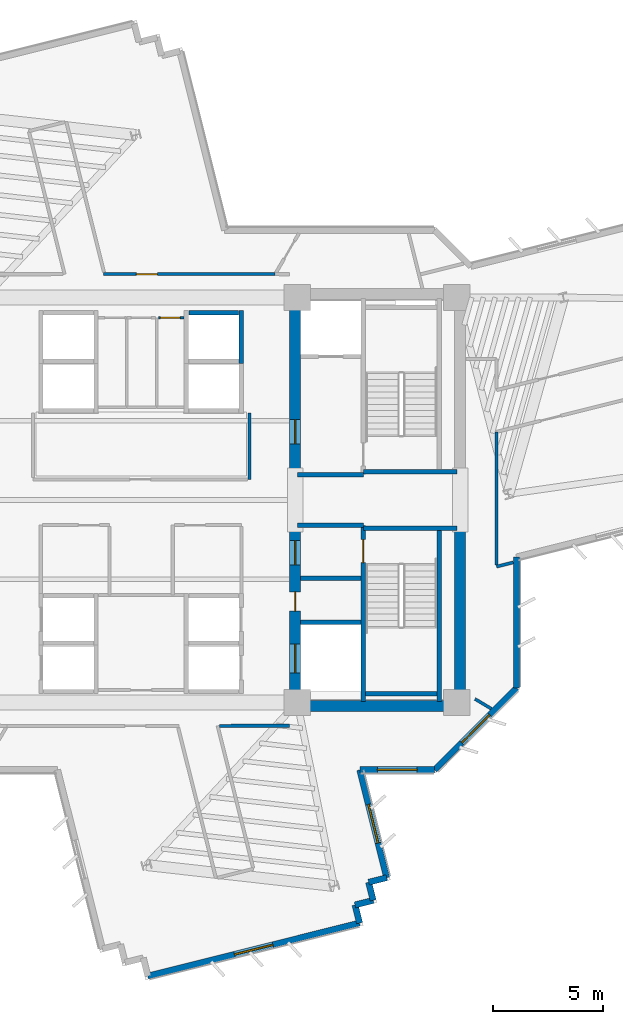
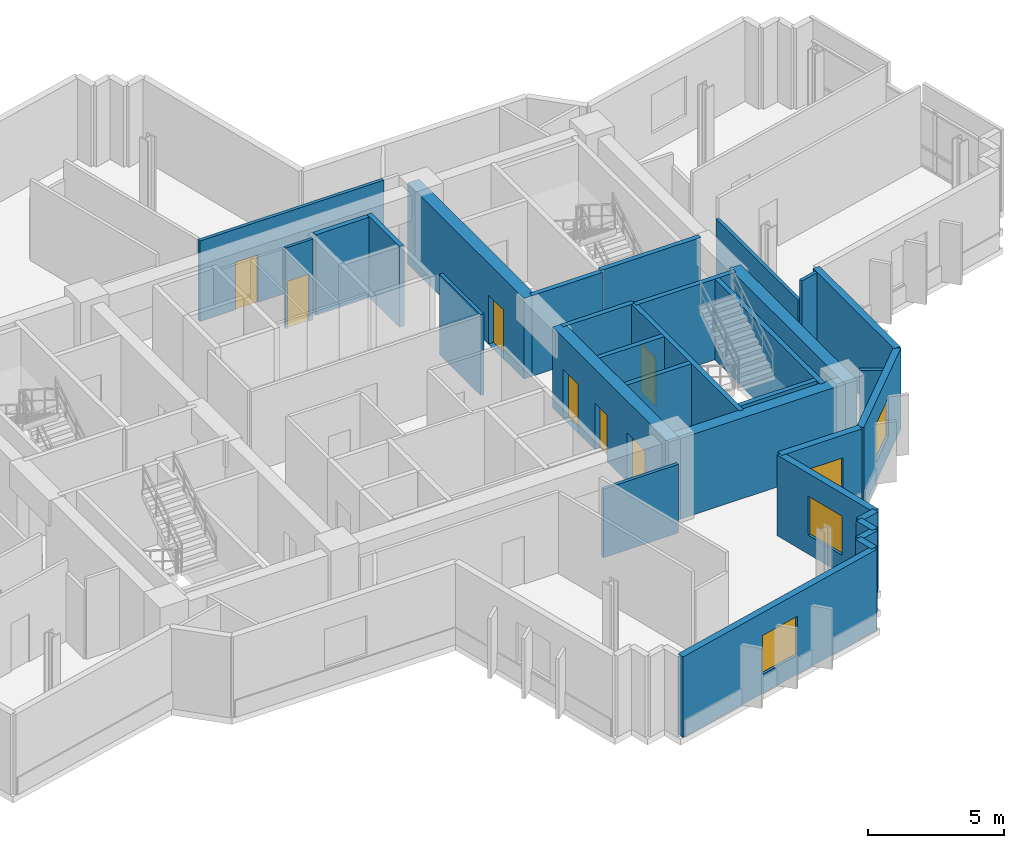
# One storey, part 8 of 13: 31 walls, 7 doors, 4 windows, 11 openings.
"""IFC4 building model written with IfcOpenShell, lengths in metres."""

from ifc_helpers import new_model, si_unit, direction, frame, frame_2d, origin, place, context, subcontext, project, spatial, rectangle, extrude, source, transform, mapped, material, layer, layer_set, type_object, element, fill, save


model = new_model("IFC4")

# Units and contexts
model_context = context("Model", 3, precision=1e-05, world=origin(), true_north=direction((0.0, 1.0)))
body_context = subcontext(model_context, "Body", "Model", "MODEL_VIEW")
ifc_project = project(units=[si_unit("LENGTHUNIT", "METRE"), si_unit("AREAUNIT", "SQUARE_METRE"), si_unit("VOLUMEUNIT", "CUBIC_METRE"), si_unit("PLANEANGLEUNIT", "RADIAN"), si_unit("MASSUNIT", "GRAM", prefix="KILO")], contexts=[model_context])

# Site, building, storey
site_placement = place(None, origin())
site = spatial("IfcSite", under=ifc_project, at=site_placement, CompositionType="ELEMENT")
building_placement = place(site_placement, origin())
building = spatial("IfcBuilding", under=site, at=building_placement, Name="Zahravan Cultural Tower", CompositionType="ELEMENT")
storey_placement = place(building_placement, frame((0.0, 0.0, 182.39990234375)))
storey = spatial("IfcBuildingStorey", under=building, at=storey_placement, Name="L42", CompositionType="ELEMENT", Elevation=182.39990234375)

# Wall, openings, doors
ifc_material_1 = material(Name="Concrete C60/75", Category="concrete")
ifc_layer_1 = layer(ifc_material_1, 0.5)
ifc_layer_set_1 = layer_set([ifc_layer_1], Name="Concrete C60/75")
wall_type_1 = type_object("IfcWallType", Name="CW-SHEAR-500-C60", PredefinedType="SHEAR", material=ifc_layer_set_1)
wall_1_placement = place(storey_placement, frame((43.0, 17.39990234375, 0.0), z_axis=(0.0, 0.0, 1.0), x_axis=(0.0, 1.0, 0.0)))
wall_1 = element("IfcWall", 1, at=wall_1_placement, inside=storey, type_object=wall_type_1, Name="L42 Core Shear Wall CW-E-WS-L42", PredefinedType="SHEAR", context=body_context, shape_type="SweptSolid", body=[
    extrude(rectangle(XDim=8.550048828125, YDim=0.5, at=frame_2d((4.27490234375, 0.0))), origin(), (0.0, 0.0, 1.0), 3.6201171875),
])
opening_1_placement = place(wall_1_placement, frame((6.64990234375, 0.0, 0.0)))
opening_1 = element("IfcOpeningElement", 2, at=opening_1_placement, cuts=wall_1, Name="Opening D-L42-08", PredefinedType="OPENING", context=body_context, shape_type="SweptSolid", body=[
    extrude(rectangle(XDim=1.10009765625, YDim=2.199951171875, at=frame_2d((0.550048828125, 1.10009765625))), frame((0.0, 0.260009765625, 0.0), z_axis=(0.0, -1.0, 0.0), x_axis=(1.0, 0.0, 0.0)), (0.0, 0.0, 1.0), 0.52001953125),
])
opening_2_placement = place(wall_1_placement, frame((1.75, 0.0, 0.0)))
opening_2 = element("IfcOpeningElement", 3, at=opening_2_placement, cuts=wall_1, Name="Opening LD-L42-03", PredefinedType="OPENING", context=body_context, shape_type="SweptSolid", body=[
    extrude(rectangle(XDim=1.300048828125, YDim=2.199951171875, at=frame_2d((0.64990234375, 1.10009765625))), frame((0.0, 0.260009765625, 0.0), z_axis=(0.0, -1.0, 0.0), x_axis=(1.0, 0.0, 0.0)), (0.0, 0.0, 1.0), 0.52001953125),
])
opening_3_placement = place(wall_1_placement, frame((4.550048828125, 0.0, 0.0)))
opening_3 = element("IfcOpeningElement", 4, at=opening_3_placement, cuts=wall_1, Name="Opening D-L42-10", PredefinedType="OPENING", context=body_context, shape_type="SweptSolid", body=[
    extrude(rectangle(XDim=0.8798828125, YDim=2.10009765625, at=frame_2d((0.43994140625, 1.050048828125))), frame((0.0, 0.260009765625, 0.0), z_axis=(0.0, -1.0, 0.0), x_axis=(1.0, 0.0, 0.0)), (0.0, 0.0, 1.0), 0.52001953125),
])
ifc_material_2 = material(Name="Steel ASTM A572 Grade 50", Category="steel")
door_type_1 = type_object("IfcDoorType", Name="DR-LOBBY-1100", OperationType="NOTDEFINED", PredefinedType="DOOR", material=ifc_material_2)
shared_shape_1 = source(origin(), body_context, "Body", "SweptSolid", [
    extrude(rectangle(XDim=1.10009765625, YDim=2.199951171875, at=frame_2d((0.550048828125, 1.10009765625))), frame((0.0, 0.02490234375, 0.0), z_axis=(0.0, -1.0, 0.0), x_axis=(1.0, 0.0, 0.0)), (0.0, 0.0, 1.0), 0.050048828125),
])
door_1_placement = place(opening_1_placement, origin())
door_1 = element("IfcDoor", 5, at=door_1_placement, inside=storey, type_object=door_type_1, Name="L42 Door D-L42-08", OperationType="SINGLE_SWING_LEFT", OverallHeight=2.199951171875, OverallWidth=1.10009765625, PredefinedType="DOOR", context=body_context, shape_type="MappedRepresentation", body=[
    mapped(shared_shape_1, transform((0.0, 0.0, 0.0), x_axis=(1.0, 0.0, 0.0), y_axis=(0.0, 1.0, 0.0), z_axis=(0.0, 0.0, 1.0), scale=1.0)),
])
fill(opening_1, door_1)
door_type_2 = type_object("IfcDoorType", Name="DR-LIFT-1300", OperationType="DOUBLE_DOOR_SLIDING", PredefinedType="DOOR", material=ifc_material_2)
shared_shape_2 = source(origin(), body_context, "Body", "SweptSolid", [
    extrude(rectangle(XDim=1.300048828125, YDim=2.199951171875, at=frame_2d((0.64990234375, 1.10009765625))), frame((0.0, 0.02490234375, 0.0), z_axis=(0.0, -1.0, 0.0), x_axis=(1.0, 0.0, 0.0)), (0.0, 0.0, 1.0), 0.050048828125),
])
door_2_placement = place(opening_2_placement, origin())
door_2 = element("IfcDoor", 6, at=door_2_placement, inside=storey, type_object=door_type_2, Name="L42 Door LD-L42-03", OperationType="DOUBLE_DOOR_SLIDING", OverallHeight=2.199951171875, OverallWidth=1.300048828125, PredefinedType="DOOR", context=body_context, shape_type="MappedRepresentation", body=[
    mapped(shared_shape_2, transform((0.0, 0.0, 0.0), x_axis=(1.0, 0.0, 0.0), y_axis=(0.0, 1.0, 0.0), z_axis=(0.0, 0.0, 1.0), scale=1.0)),
])
fill(opening_2, door_2)
door_type_3 = type_object("IfcDoorType", Name="DR-SVC-880", OperationType="NOTDEFINED", PredefinedType="DOOR", material=ifc_material_2)
shared_shape_3 = source(origin(), body_context, "Body", "SweptSolid", [
    extrude(rectangle(XDim=0.8798828125, YDim=2.10009765625, at=frame_2d((0.43994140625, 1.050048828125))), frame((0.0, 0.02490234375, 0.0), z_axis=(0.0, -1.0, 0.0), x_axis=(1.0, 0.0, 0.0)), (0.0, 0.0, 1.0), 0.050048828125),
])
door_3_placement = place(opening_3_placement, origin())
door_3 = element("IfcDoor", 7, at=door_3_placement, inside=storey, type_object=door_type_3, Name="L42 Door D-L42-10", OperationType="SINGLE_SWING_LEFT", OverallHeight=2.10009765625, OverallWidth=0.8798828125, PredefinedType="DOOR", context=body_context, shape_type="MappedRepresentation", body=[
    mapped(shared_shape_3, transform((0.0, 0.0, 0.0), x_axis=(1.0, 0.0, 0.0), y_axis=(0.0, 1.0, 0.0), z_axis=(0.0, 0.0, 1.0), scale=1.0)),
])
fill(opening_3, door_3)

# Wall, opening, door
wall_2_placement = place(storey_placement, frame((43.0, 28.050048828125, 0.0), z_axis=(0.0, 0.0, 1.0), x_axis=(0.0, 1.0, 0.0)))
wall_2 = element("IfcWall", 8, at=wall_2_placement, inside=storey, type_object=wall_type_1, Name="L42 Core Shear Wall CW-E-WN-L42", PredefinedType="SHEAR", context=body_context, shape_type="SweptSolid", body=[
    extrude(rectangle(XDim=8.550048828125, YDim=0.5, at=frame_2d((4.27490234375, 0.0))), origin(), (0.0, 0.0, 1.0), 3.6201171875),
])
opening_4_placement = place(wall_2_placement, frame((1.5, 0.0, 0.0)))
opening_4 = element("IfcOpeningElement", 9, at=opening_4_placement, cuts=wall_2, Name="Opening D-L42-06", PredefinedType="OPENING", context=body_context, shape_type="SweptSolid", body=[
    extrude(rectangle(XDim=1.10009765625, YDim=2.199951171875, at=frame_2d((0.550048828125, 1.10009765625))), frame((0.0, 0.260009765625, 0.0), z_axis=(0.0, -1.0, 0.0), x_axis=(1.0, 0.0, 0.0)), (0.0, 0.0, 1.0), 0.52001953125),
])
door_4_placement = place(opening_4_placement, origin())
door_4 = element("IfcDoor", 10, at=door_4_placement, inside=storey, type_object=door_type_1, Name="L42 Door D-L42-06", OperationType="SINGLE_SWING_LEFT", OverallHeight=2.199951171875, OverallWidth=1.10009765625, PredefinedType="DOOR", context=body_context, shape_type="MappedRepresentation", body=[
    mapped(shared_shape_1, transform((0.0, 0.0, 0.0), x_axis=(1.0, 0.0, 0.0), y_axis=(0.0, 1.0, 0.0), z_axis=(0.0, 0.0, 1.0), scale=1.0)),
])
fill(opening_4, door_4)

# Wall, opening, window
ifc_material_3 = material(Name="Precast concrete C40/50", Category="concrete")
ifc_layer_2 = layer(ifc_material_3, 0.280029296875)
ifc_layer_set_2 = layer_set([ifc_layer_2], Name="Precast concrete C40/50")
wall_type_2 = type_object("IfcWallType", Name="EW-TC-280", PredefinedType="SOLIDWALL", material=ifc_layer_set_2)
wall_3_placement = place(storey_placement, frame((53.06005859375, 18.4580078125, 0.0), z_axis=(0.0, 0.0, 1.0), x_axis=(-0.707106781187, -0.707106781187, 0.0)))
wall_3 = element("IfcWall", 11, at=wall_3_placement, inside=storey, type_object=wall_type_2, Name="L42 Exterior Masonry Frame Wall 12", PredefinedType="SOLIDWALL", context=body_context, shape_type="SweptSolid", body=[
    extrude(rectangle(XDim=5.258056640625, YDim=0.280029296875, at=frame_2d((2.62890625, 0.0))), origin(), (0.0, 0.0, 1.0), 3.6201171875),
])
opening_5_placement = place(wall_3_placement, frame((1.72900390625, 0.0, 0.85009765625)))
opening_5 = element("IfcOpeningElement", 12, at=opening_5_placement, cuts=wall_3, Name="Opening WN-02", PredefinedType="OPENING", context=body_context, shape_type="SweptSolid", body=[
    extrude(rectangle(XDim=1.800048828125, YDim=1.75, at=frame_2d((0.89990234375, 0.875))), frame((0.0, 0.14990234375, 0.0), z_axis=(0.0, -1.0, 0.0), x_axis=(1.0, 0.0, 0.0)), (0.0, 0.0, 1.0), 0.300048828125),
])
ifc_material_4 = material(Name="Low-E solar-control double glazing", Category="glass")
window_type = type_object("IfcWindowType", Name="WN-REC-1800X1750", PartitioningType="DOUBLE_PANEL_VERTICAL", PredefinedType="WINDOW", material=ifc_material_4)
shared_shape_4 = source(origin(), body_context, "Body", "SweptSolid", [
    extrude(rectangle(XDim=1.800048828125, YDim=1.75, at=frame_2d((0.89990234375, 0.875))), frame((0.0, 0.030029296875, 0.0), z_axis=(0.0, -1.0, 0.0), x_axis=(1.0, 0.0, 0.0)), (0.0, 0.0, 1.0), 0.06005859375),
])
window_1_placement = place(opening_5_placement, origin())
window_1 = element("IfcWindow", 13, at=window_1_placement, inside=storey, type_object=window_type, Name="L42 Recessed Solar Window 03", OverallHeight=1.75, OverallWidth=1.800048828125, PartitioningType="DOUBLE_PANEL_VERTICAL", PredefinedType="WINDOW", context=body_context, shape_type="MappedRepresentation", body=[
    mapped(shared_shape_4, transform((0.0, 0.0, 0.0), x_axis=(1.0, 0.0, 0.0), y_axis=(0.0, 1.0, 0.0), z_axis=(0.0, 0.0, 1.0), scale=1.0)),
])
fill(opening_5, window_1)

wall_4_placement = place(storey_placement, frame((49.342041015625, 14.739990234375, 0.0), z_axis=(0.0, 0.0, 1.0), x_axis=(-1.0, 0.0, 0.0)))
wall_4 = element("IfcWall", 14, at=wall_4_placement, inside=storey, type_object=wall_type_2, Name="L42 Exterior Masonry Frame Wall 13", PredefinedType="SOLIDWALL", context=body_context, shape_type="SweptSolid", body=[
    extrude(rectangle(XDim=3.406005859375, YDim=0.280029296875, at=frame_2d((1.703125, 0.0))), origin(), (0.0, 0.0, 1.0), 3.6201171875),
])
opening_6_placement = place(wall_4_placement, frame((0.802978515625, 0.0, 0.85009765625)))
opening_6 = element("IfcOpeningElement", 15, at=opening_6_placement, cuts=wall_4, Name="Opening WN-02", PredefinedType="OPENING", context=body_context, shape_type="SweptSolid", body=[
    extrude(rectangle(XDim=1.800048828125, YDim=1.75, at=frame_2d((0.89990234375, 0.875))), frame((0.0, 0.14990234375, 0.0), z_axis=(0.0, -1.0, 0.0), x_axis=(1.0, 0.0, 0.0)), (0.0, 0.0, 1.0), 0.300048828125),
])
window_2_placement = place(opening_6_placement, origin())
window_2 = element("IfcWindow", 16, at=window_2_placement, inside=storey, type_object=window_type, Name="L42 Recessed Solar Window 04", OverallHeight=1.75, OverallWidth=1.800048828125, PartitioningType="DOUBLE_PANEL_VERTICAL", PredefinedType="WINDOW", context=body_context, shape_type="MappedRepresentation", body=[
    mapped(shared_shape_4, transform((0.0, 0.0, 0.0), x_axis=(1.0, 0.0, 0.0), y_axis=(0.0, 1.0, 0.0), z_axis=(0.0, 0.0, 1.0), scale=1.0)),
])
fill(opening_6, window_2)

wall_5_placement = place(storey_placement, frame((45.93603515625, 14.739990234375, 0.0), z_axis=(0.0, 0.0, 1.0), x_axis=(0.242956192426, -0.97003726143, 0.0)))
wall_5 = element("IfcWall", 17, at=wall_5_placement, inside=storey, type_object=wall_type_2, Name="L42 Exterior Masonry Frame Wall 14", PredefinedType="SOLIDWALL", context=body_context, shape_type="SweptSolid", body=[
    extrude(rectangle(XDim=5.053466796875, YDim=0.280029296875, at=frame_2d((2.52685546875, 0.0))), origin(), (0.0, 0.0, 1.0), 3.6201171875),
])
opening_7_placement = place(wall_5_placement, frame((1.626953125, 0.0, 0.85009765625)))
opening_7 = element("IfcOpeningElement", 18, at=opening_7_placement, cuts=wall_5, Name="Opening WN-02", PredefinedType="OPENING", context=body_context, shape_type="SweptSolid", body=[
    extrude(rectangle(XDim=1.800048828125, YDim=1.75, at=frame_2d((0.89990234375, 0.875))), frame((0.0, 0.14990234375, 0.0), z_axis=(0.0, -1.0, 0.0), x_axis=(1.0, 0.0, 0.0)), (0.0, 0.0, 1.0), 0.300048828125),
])
window_3_placement = place(opening_7_placement, origin())
window_3 = element("IfcWindow", 19, at=window_3_placement, inside=storey, type_object=window_type, Name="L42 Recessed Solar Window 05", OverallHeight=1.75, OverallWidth=1.800048828125, PartitioningType="DOUBLE_PANEL_VERTICAL", PredefinedType="WINDOW", context=body_context, shape_type="MappedRepresentation", body=[
    mapped(shared_shape_4, transform((0.0, 0.0, 0.0), x_axis=(1.0, 0.0, 0.0), y_axis=(0.0, 1.0, 0.0), z_axis=(0.0, 0.0, 1.0), scale=1.0)),
])
fill(opening_7, window_3)

wall_6_placement = place(storey_placement, frame((45.927734375, 7.77587890625, 0.0), z_axis=(0.0, 0.0, 1.0), x_axis=(-0.97004252616, -0.242935171273, 0.0)))
wall_6 = element("IfcWall", 20, at=wall_6_placement, inside=storey, type_object=wall_type_2, Name="L42 Exterior Masonry Frame Wall 19", PredefinedType="SOLIDWALL", context=body_context, shape_type="SweptSolid", body=[
    extrude(rectangle(XDim=9.919921875, YDim=0.280029296875, at=frame_2d((4.9599609375, 0.0))), origin(), (0.0, 0.0, 1.0), 3.6201171875),
])
opening_8_placement = place(wall_6_placement, frame((4.06005859375, 0.0, 0.85009765625)))
opening_8 = element("IfcOpeningElement", 21, at=opening_8_placement, cuts=wall_6, Name="Opening WN-02", PredefinedType="OPENING", context=body_context, shape_type="SweptSolid", body=[
    extrude(rectangle(XDim=1.800048828125, YDim=1.75, at=frame_2d((0.89990234375, 0.875))), frame((0.0, 0.14990234375, 0.0), z_axis=(0.0, -1.0, 0.0), x_axis=(1.0, 0.0, 0.0)), (0.0, 0.0, 1.0), 0.300048828125),
])
window_4_placement = place(opening_8_placement, origin())
window_4 = element("IfcWindow", 22, at=window_4_placement, inside=storey, type_object=window_type, Name="L42 Recessed Solar Window 06", OverallHeight=1.75, OverallWidth=1.800048828125, PartitioningType="DOUBLE_PANEL_VERTICAL", PredefinedType="WINDOW", context=body_context, shape_type="MappedRepresentation", body=[
    mapped(shared_shape_4, transform((0.0, 0.0, 0.0), x_axis=(1.0, 0.0, 0.0), y_axis=(0.0, 1.0, 0.0), z_axis=(0.0, 0.0, 1.0), scale=1.0)),
])
fill(opening_8, window_4)

# Wall, opening, door
ifc_material_5 = material(Name="Gypsum plasterboard partition")
ifc_layer_3 = layer(ifc_material_5, 0.139892578125)
ifc_layer_set_3 = layer_set([ifc_layer_3], Name="Gypsum plasterboard partition")
wall_type_3 = type_object("IfcWallType", Name="W-PART-140", PredefinedType="PARTITIONING", material=ifc_layer_set_3)
wall_7_placement = place(storey_placement, frame((42.087890625, 37.260009765625, 0.0), z_axis=(0.0, 0.0, 1.0), x_axis=(-1.0, 0.0, 0.0)))
wall_7 = element("IfcWall", 23, at=wall_7_placement, inside=storey, type_object=wall_type_3, Name="L42 Interior Wall 097", PredefinedType="PARTITIONING", context=body_context, shape_type="SweptSolid", body=[
    extrude(rectangle(XDim=7.806396484375, YDim=0.139892578125, at=frame_2d((3.9033203125, 0.0))), origin(), (0.0, 0.0, 1.0), 3.6201171875),
])
opening_9_placement = place(wall_7_placement, frame((5.34814453125, 0.0, 0.0)))
opening_9 = element("IfcOpeningElement", 24, at=opening_9_placement, cuts=wall_7, Name="Opening D-L42-20", PredefinedType="OPENING", context=body_context, shape_type="SweptSolid", body=[
    extrude(rectangle(XDim=0.949951171875, YDim=2.14990234375, at=frame_2d((0.47509765625, 1.074951171875))), frame((0.0, 0.079833984375, 0.0), z_axis=(0.0, -1.0, 0.0), x_axis=(1.0, 0.0, 0.0)), (0.0, 0.0, 1.0), 0.159912109375),
])
ifc_material_6 = material(Name="Anodised bronze-aluminium mullion", Category="aluminium")
door_type_4 = type_object("IfcDoorType", Name="DR-ROOM-950", OperationType="NOTDEFINED", PredefinedType="DOOR", material=ifc_material_6)
shared_shape_5 = source(origin(), body_context, "Body", "SweptSolid", [
    extrude(rectangle(XDim=0.949951171875, YDim=2.14990234375, at=frame_2d((0.47509765625, 1.074951171875))), frame((0.0, 0.02490234375, 0.0), z_axis=(0.0, -1.0, 0.0), x_axis=(1.0, 0.0, 0.0)), (0.0, 0.0, 1.0), 0.050048828125),
])
door_5_placement = place(opening_9_placement, origin())
door_5 = element("IfcDoor", 25, at=door_5_placement, inside=storey, type_object=door_type_4, Name="L42 Door D-L42-20", OperationType="SINGLE_SWING_LEFT", OverallHeight=2.14990234375, OverallWidth=0.949951171875, PredefinedType="DOOR", context=body_context, shape_type="MappedRepresentation", body=[
    mapped(shared_shape_5, transform((0.0, 0.0, 0.0), x_axis=(1.0, 0.0, 0.0), y_axis=(0.0, 1.0, 0.0), z_axis=(0.0, 0.0, 1.0), scale=1.0)),
])
fill(opening_9, door_5)

ifc_material_7 = material(Name="Concrete C45/55", Category="concrete")
ifc_layer_4 = layer(ifc_material_7, 0.199951171875)
ifc_layer_set_4 = layer_set([ifc_layer_4], Name="Concrete C45/55")
wall_type_4 = type_object("IfcWallType", Name="W-SHAFT-200", PredefinedType="SOLIDWALL", material=ifc_layer_set_4)
wall_8_placement = place(storey_placement, frame((46.10009765625, 17.85009765625, 0.0), z_axis=(0.0, 0.0, 1.0), x_axis=(0.0, 1.0, 0.0)))
wall_8 = element("IfcWall", 26, at=wall_8_placement, inside=storey, type_object=wall_type_4, Name="L42 Interior Wall 007", PredefinedType="SOLIDWALL", context=body_context, shape_type="SweptSolid", body=[
    extrude(rectangle(XDim=8.0, YDim=0.199951171875, at=frame_2d((4.0, 0.0))), origin(), (0.0, 0.0, 1.0), 3.6201171875),
])
opening_10_placement = place(wall_8_placement, frame((6.300048828125, 0.0, 0.0)))
opening_10 = element("IfcOpeningElement", 27, at=opening_10_placement, cuts=wall_8, Name="Opening D-L42-03", PredefinedType="OPENING", context=body_context, shape_type="SweptSolid", body=[
    extrude(rectangle(XDim=1.050048828125, YDim=2.14990234375, at=frame_2d((0.52490234375, 1.074951171875))), frame((0.0, 0.10986328125, 0.0), z_axis=(0.0, -1.0, 0.0), x_axis=(1.0, 0.0, 0.0)), (0.0, 0.0, 1.0), 0.219970703125),
])
door_type_5 = type_object("IfcDoorType", Name="DR-STAIR-1050", OperationType="NOTDEFINED", PredefinedType="DOOR", material=ifc_material_2)
shared_shape_6 = source(origin(), body_context, "Body", "SweptSolid", [
    extrude(rectangle(XDim=1.050048828125, YDim=2.14990234375, at=frame_2d((0.52490234375, 1.074951171875))), frame((0.0, 0.02490234375, 0.0), z_axis=(0.0, -1.0, 0.0), x_axis=(1.0, 0.0, 0.0)), (0.0, 0.0, 1.0), 0.050048828125),
])
door_6_placement = place(opening_10_placement, origin())
door_6 = element("IfcDoor", 28, at=door_6_placement, inside=storey, type_object=door_type_5, Name="L42 Door D-L42-03", OperationType="SINGLE_SWING_RIGHT", OverallHeight=2.14990234375, OverallWidth=1.050048828125, PredefinedType="DOOR", context=body_context, shape_type="MappedRepresentation", body=[
    mapped(shared_shape_6, transform((0.0, 0.0, 0.0), x_axis=(1.0, 0.0, 0.0), y_axis=(0.0, 1.0, 0.0), z_axis=(0.0, 0.0, 1.0), scale=1.0)),
])
fill(opening_10, door_6)

ifc_layer_5 = layer(ifc_material_5, 0.114990234375)
ifc_layer_set_5 = layer_set([ifc_layer_5], Name="Gypsum plasterboard partition")
wall_type_5 = type_object("IfcWallType", Name="W-WC-115", PredefinedType="PARTITIONING", material=ifc_layer_set_5)
wall_9_placement = place(storey_placement, frame((36.782470703125, 35.280029296875, 0.0), z_axis=(0.0, 0.0, 1.0), x_axis=(1.0, 0.0, 0.0)))
wall_9 = element("IfcWall", 29, at=wall_9_placement, inside=storey, type_object=wall_type_5, Name="L42 Interior Wall 056", PredefinedType="PARTITIONING", context=body_context, shape_type="SweptSolid", body=[
    extrude(rectangle(XDim=1.16259765625, YDim=0.114990234375, at=frame_2d((0.581298828125, 0.0))), origin(), (0.0, 0.0, 1.0), 3.6201171875),
])
opening_11_placement = place(wall_9_placement, frame((0.0888671875, 0.0, 0.0)))
opening_11 = element("IfcOpeningElement", 30, at=opening_11_placement, cuts=wall_9, Name="Opening D-L42-15", PredefinedType="OPENING", context=body_context, shape_type="SweptSolid", body=[
    extrude(rectangle(XDim=0.89990234375, YDim=2.10009765625, at=frame_2d((0.449951171875, 1.050048828125))), frame((0.0, 0.0673828125, 0.0), z_axis=(0.0, -1.0, 0.0), x_axis=(1.0, 0.0, 0.0)), (0.0, 0.0, 1.0), 0.135009765625),
])
door_type_6 = type_object("IfcDoorType", Name="DR-WC-900", OperationType="NOTDEFINED", PredefinedType="DOOR", material=ifc_material_6)
shared_shape_7 = source(origin(), body_context, "Body", "SweptSolid", [
    extrude(rectangle(XDim=0.89990234375, YDim=2.10009765625, at=frame_2d((0.449951171875, 1.050048828125))), frame((0.0, 0.02490234375, 0.0), z_axis=(0.0, -1.0, 0.0), x_axis=(1.0, 0.0, 0.0)), (0.0, 0.0, 1.0), 0.050048828125),
])
door_7_placement = place(opening_11_placement, origin())
door_7 = element("IfcDoor", 31, at=door_7_placement, inside=storey, type_object=door_type_6, Name="L42 Door D-L42-15", OperationType="SINGLE_SWING_RIGHT", OverallHeight=2.10009765625, OverallWidth=0.89990234375, PredefinedType="DOOR", context=body_context, shape_type="MappedRepresentation", body=[
    mapped(shared_shape_7, transform((0.0, 0.0, 0.0), x_axis=(1.0, 0.0, 0.0), y_axis=(0.0, 1.0, 0.0), z_axis=(0.0, 0.0, 1.0), scale=1.0)),
])
fill(opening_11, door_7)

# Walls
shared_shape_8 = source(origin(), body_context, "Body", "SweptSolid", [
    extrude(rectangle(XDim=8.550048828125, YDim=0.5, at=frame_2d((4.27490234375, 0.0))), origin(), (0.0, 0.0, 1.0), 3.6201171875),
])
wall_10_placement = place(storey_placement, frame((50.5, 17.39990234375, 0.0), z_axis=(0.0, 0.0, 1.0), x_axis=(0.0, 1.0, 0.0)))
element("IfcWall", 32, at=wall_10_placement, inside=storey, type_object=wall_type_1, Name="L42 Core Shear Wall CW-E-ES-L42", PredefinedType="SHEAR", context=body_context, shape_type="MappedRepresentation", body=[
    mapped(shared_shape_8, transform((0.0, 0.0, 0.0), x_axis=(1.0, 0.0, 0.0), y_axis=(0.0, 1.0, 0.0), z_axis=(0.0, 0.0, 1.0), scale=1.0)),
])
shared_shape_9 = source(origin(), body_context, "Body", "SweptSolid", [
    extrude(rectangle(XDim=7.0, YDim=0.5, at=frame_2d((3.5, 0.0))), origin(), (0.0, 0.0, 1.0), 3.6201171875),
])
wall_11_placement = place(storey_placement, frame((43.25, 17.64990234375, 0.0), z_axis=(0.0, 0.0, 1.0), x_axis=(1.0, 0.0, 0.0)))
element("IfcWall", 33, at=wall_11_placement, inside=storey, type_object=wall_type_1, Name="L42 Core Shear Wall CW-E-S-L42", PredefinedType="SHEAR", context=body_context, shape_type="MappedRepresentation", body=[
    mapped(shared_shape_9, transform((0.0, 0.0, 0.0), x_axis=(1.0, 0.0, 0.0), y_axis=(0.0, 1.0, 0.0), z_axis=(0.0, 0.0, 1.0), scale=1.0)),
])
shared_shape_10 = source(origin(), body_context, "Body", "SweptSolid", [
    extrude(rectangle(XDim=0.85009765625, YDim=0.280029296875, at=frame_2d((0.425048828125, 0.0))), origin(), (0.0, 0.0, 1.0), 3.6201171875),
])
for number, where, z_axis, x_axis, name in (
    (34, (47.163818359375, 9.837890625, 0.0), (0.0, 0.0, 1.0), (-0.970108704339, -0.242670768255, 0.0), "L42 Exterior Masonry Frame Wall 15"),
    (35, (46.339111328125, 9.631591796875, 0.0), (0.0, 0.0, 1.0), (0.242941012307, -0.970041063326, 0.0), "L42 Exterior Masonry Frame Wall 16"),
):
    element("IfcWall", number, at=place(storey_placement, frame(where, z_axis=z_axis, x_axis=x_axis)), inside=storey, type_object=wall_type_2, Name=name, PredefinedType="SOLIDWALL", context=body_context, shape_type="MappedRepresentation", body=[
        mapped(shared_shape_10, transform((0.0, 0.0, 0.0), x_axis=(1.0, 0.0, 0.0), y_axis=(0.0, 1.0, 0.0), z_axis=(0.0, 0.0, 1.0), scale=1.0)),
    ])
shared_shape_11 = source(origin(), body_context, "Body", "SweptSolid", [
    extrude(rectangle(XDim=0.849853515625, YDim=0.280029296875, at=frame_2d((0.4248046875, 0.0))), origin(), (0.0, 0.0, 1.0), 3.6201171875),
])
for number, where, z_axis, x_axis, name in (
    (36, (46.545654296875, 8.806884765625, 0.0), (0.0, 0.0, 1.0), (-0.970024107708, -0.243008704507, 0.0), "L42 Exterior Masonry Frame Wall 17"),
    (37, (45.72119140625, 8.600341796875, 0.0), (0.0, 0.0, 1.0), (0.243008704507, -0.970024107708, 0.0), "L42 Exterior Masonry Frame Wall 18"),
):
    element("IfcWall", number, at=place(storey_placement, frame(where, z_axis=z_axis, x_axis=x_axis)), inside=storey, type_object=wall_type_2, Name=name, PredefinedType="SOLIDWALL", context=body_context, shape_type="MappedRepresentation", body=[
        mapped(shared_shape_11, transform((0.0, 0.0, 0.0), x_axis=(1.0, 0.0, 0.0), y_axis=(0.0, 1.0, 0.0), z_axis=(0.0, 0.0, 1.0), scale=1.0)),
    ])
shared_shape_12 = source(origin(), body_context, "Body", "SweptSolid", [
    extrude(rectangle(XDim=5.948974609375, YDim=0.280029296875, at=frame_2d((2.974609375, 0.0))), origin(), (0.0, 0.0, 1.0), 3.6201171875),
])
wall_12_placement = place(storey_placement, frame((53.06005859375, 24.406982421875, 0.0), z_axis=(0.0, 0.0, 1.0), x_axis=(0.0, -1.0, 0.0)))
element("IfcWall", 38, at=wall_12_placement, inside=storey, type_object=wall_type_2, Name="L42 Exterior Masonry Frame Wall 11", PredefinedType="SOLIDWALL", context=body_context, shape_type="MappedRepresentation", body=[
    mapped(shared_shape_12, transform((0.0, 0.0, 0.0), x_axis=(1.0, 0.0, 0.0), y_axis=(0.0, 1.0, 0.0), z_axis=(0.0, 0.0, 1.0), scale=1.0)),
])
shared_shape_13 = source(origin(), body_context, "Body", "SweptSolid", [
    extrude(rectangle(XDim=7.869873046875, YDim=0.199951171875, at=frame_2d((3.93505859375, 0.0))), origin(), (0.0, 0.0, 1.0), 3.6201171875),
])
wall_13_placement = place(storey_placement, frame((49.550048828125, 17.85009765625, 0.0), z_axis=(0.0, 0.0, 1.0), x_axis=(0.0, 1.0, 0.0)))
element("IfcWall", 39, at=wall_13_placement, inside=storey, type_object=wall_type_4, Name="L42 Interior Wall 003", PredefinedType="SOLIDWALL", context=body_context, shape_type="MappedRepresentation", body=[
    mapped(shared_shape_13, transform((0.0, 0.0, 0.0), x_axis=(1.0, 0.0, 0.0), y_axis=(0.0, 1.0, 0.0), z_axis=(0.0, 0.0, 1.0), scale=1.0)),
])
shared_shape_14 = source(origin(), body_context, "Body", "SweptSolid", [
    extrude(rectangle(XDim=4.25, YDim=0.199951171875, at=frame_2d((2.125, 0.0))), origin(), (0.0, 0.0, 1.0), 3.6201171875),
])
for number, where, z_axis, x_axis, name in (
    (40, (46.10009765625, 25.715087890625, 0.0), (0.0, 0.0, 1.0), (1.0, 0.0, 0.0), "L42 Interior Wall 014"),
    (41, (46.10009765625, 28.284912109375, 0.0), (0.0, 0.0, 1.0), (1.0, 0.0, 0.0), "L42 Interior Wall 016"),
):
    element("IfcWall", number, at=place(storey_placement, frame(where, z_axis=z_axis, x_axis=x_axis)), inside=storey, type_object=wall_type_4, Name=name, PredefinedType="SOLIDWALL", context=body_context, shape_type="MappedRepresentation", body=[
        mapped(shared_shape_14, transform((0.0, 0.0, 0.0), x_axis=(1.0, 0.0, 0.0), y_axis=(0.0, 1.0, 0.0), z_axis=(0.0, 0.0, 1.0), scale=1.0)),
    ])
shared_shape_15 = source(origin(), body_context, "Body", "SweptSolid", [
    extrude(rectangle(XDim=3.0, YDim=0.199951171875, at=frame_2d((1.5, 0.0))), origin(), (0.0, 0.0, 1.0), 3.6201171875),
])
for number, where, z_axis, x_axis, name in (
    (42, (43.10009765625, 25.85009765625, 0.0), (0.0, 0.0, 1.0), (1.0, 0.0, 0.0), "L42 Interior Wall 013"),
    (43, (43.10009765625, 28.14990234375, 0.0), (0.0, 0.0, 1.0), (1.0, 0.0, 0.0), "L42 Interior Wall 015"),
):
    element("IfcWall", number, at=place(storey_placement, frame(where, z_axis=z_axis, x_axis=x_axis)), inside=storey, type_object=wall_type_4, Name=name, PredefinedType="SOLIDWALL", context=body_context, shape_type="MappedRepresentation", body=[
        mapped(shared_shape_15, transform((0.0, 0.0, 0.0), x_axis=(1.0, 0.0, 0.0), y_axis=(0.0, 1.0, 0.0), z_axis=(0.0, 0.0, 1.0), scale=1.0)),
    ])
shared_shape_16 = source(origin(), body_context, "Body", "SweptSolid", [
    extrude(rectangle(XDim=3.25, YDim=0.199951171875, at=frame_2d((1.625, 0.0))), origin(), (0.0, 0.0, 1.0), 3.6201171875),
])
wall_14_placement = place(storey_placement, frame((46.199951171875, 18.199951171875, 0.0), z_axis=(0.0, 0.0, 1.0), x_axis=(1.0, 0.0, 0.0)))
element("IfcWall", 44, at=wall_14_placement, inside=storey, type_object=wall_type_4, Name="L42 Interior Wall 020", PredefinedType="SOLIDWALL", context=body_context, shape_type="MappedRepresentation", body=[
    mapped(shared_shape_16, transform((0.0, 0.0, 0.0), x_axis=(1.0, 0.0, 0.0), y_axis=(0.0, 1.0, 0.0), z_axis=(0.0, 0.0, 1.0), scale=1.0)),
])
shared_shape_17 = source(origin(), body_context, "Body", "SweptSolid", [
    extrude(rectangle(XDim=2.75, YDim=0.199951171875, at=frame_2d((1.375, 0.0))), origin(), (0.0, 0.0, 1.0), 3.6201171875),
])
for number, where, z_axis, x_axis, name in (
    (45, (43.25, 23.449951171875, 0.0), (0.0, 0.0, 1.0), (1.0, 0.0, 0.0), "L42 Interior Wall 024"),
    (46, (43.25, 21.449951171875, 0.0), (0.0, 0.0, 1.0), (1.0, 0.0, 0.0), "L42 Interior Wall 025"),
):
    element("IfcWall", number, at=place(storey_placement, frame(where, z_axis=z_axis, x_axis=x_axis)), inside=storey, type_object=wall_type_4, Name=name, PredefinedType="SOLIDWALL", context=body_context, shape_type="MappedRepresentation", body=[
        mapped(shared_shape_17, transform((0.0, 0.0, 0.0), x_axis=(1.0, 0.0, 0.0), y_axis=(0.0, 1.0, 0.0), z_axis=(0.0, 0.0, 1.0), scale=1.0)),
    ])
shared_shape_18 = source(origin(), body_context, "Body", "SweptSolid", [
    extrude(rectangle(XDim=2.400146484375, YDim=0.199951171875, at=frame_2d((1.2001953125, 0.0))), origin(), (0.0, 0.0, 1.0), 3.6201171875),
])
wall_15_placement = place(storey_placement, frame((40.550048828125, 33.199951171875, 0.0), z_axis=(0.0, 0.0, 1.0), x_axis=(0.0, 1.0, 0.0)))
element("IfcWall", 47, at=wall_15_placement, inside=storey, type_object=wall_type_4, Name="L42 Interior Wall 034", PredefinedType="SOLIDWALL", context=body_context, shape_type="MappedRepresentation", body=[
    mapped(shared_shape_18, transform((0.0, 0.0, 0.0), x_axis=(1.0, 0.0, 0.0), y_axis=(0.0, 1.0, 0.0), z_axis=(0.0, 0.0, 1.0), scale=1.0)),
])
shared_shape_19 = source(origin(), body_context, "Body", "SweptSolid", [
    extrude(rectangle(XDim=2.260009765625, YDim=0.199951171875, at=frame_2d((1.1298828125, 0.0))), origin(), (0.0, 0.0, 1.0), 3.6201171875),
])
wall_16_placement = place(storey_placement, frame((38.169921875, 35.5, 0.0), z_axis=(0.0, 0.0, 1.0), x_axis=(1.0, 0.0, 0.0)))
element("IfcWall", 48, at=wall_16_placement, inside=storey, type_object=wall_type_4, Name="L42 Interior Wall 036", PredefinedType="SOLIDWALL", context=body_context, shape_type="MappedRepresentation", body=[
    mapped(shared_shape_19, transform((0.0, 0.0, 0.0), x_axis=(1.0, 0.0, 0.0), y_axis=(0.0, 1.0, 0.0), z_axis=(0.0, 0.0, 1.0), scale=1.0)),
])
shared_shape_20 = source(origin(), body_context, "Body", "SweptSolid", [
    extrude(rectangle(XDim=3.010009765625, YDim=0.139892578125, at=frame_2d((1.5048828125, 0.0))), origin(), (0.0, 0.0, 1.0), 3.6201171875),
])
wall_17_placement = place(storey_placement, frame((40.919921875, 30.949951171875, 0.0), z_axis=(0.0, 0.0, 1.0), x_axis=(0.0, -1.0, 0.0)))
element("IfcWall", 49, at=wall_17_placement, inside=storey, type_object=wall_type_3, Name="L42 Interior Wall 076", PredefinedType="PARTITIONING", context=body_context, shape_type="MappedRepresentation", body=[
    mapped(shared_shape_20, transform((0.0, 0.0, 0.0), x_axis=(1.0, 0.0, 0.0), y_axis=(0.0, 1.0, 0.0), z_axis=(0.0, 0.0, 1.0), scale=1.0)),
])
shared_shape_21 = source(origin(), body_context, "Body", "SweptSolid", [
    extrude(rectangle(XDim=0.788818359375, YDim=0.139892578125, at=frame_2d((0.39453125, 0.0))), origin(), (0.0, 0.0, 1.0), 3.6201171875),
])
wall_18_placement = place(storey_placement, frame((52.9150390625, 24.164306640625, 0.0), z_axis=(0.0, 0.0, 1.0), x_axis=(-0.970033159667, -0.242972568711, 0.0)))
element("IfcWall", 50, at=wall_18_placement, inside=storey, type_object=wall_type_3, Name="L42 Interior Wall 090", PredefinedType="PARTITIONING", context=body_context, shape_type="MappedRepresentation", body=[
    mapped(shared_shape_21, transform((0.0, 0.0, 0.0), x_axis=(1.0, 0.0, 0.0), y_axis=(0.0, 1.0, 0.0), z_axis=(0.0, 0.0, 1.0), scale=1.0)),
])
shared_shape_22 = source(origin(), body_context, "Body", "SweptSolid", [
    extrude(rectangle(XDim=6.046142578125, YDim=0.139892578125, at=frame_2d((3.02294921875, 0.0))), origin(), (0.0, 0.0, 1.0), 2.693115234375),
])
wall_19_placement = place(storey_placement, frame((52.14990234375, 24.050048828125, 0.0), z_axis=(0.0, 0.0, 1.0), x_axis=(0.0, 1.0, 0.0)))
element("IfcWall", 51, at=wall_19_placement, inside=storey, type_object=wall_type_3, Name="L42 Interior Wall 091", PredefinedType="PARTITIONING", context=body_context, shape_type="MappedRepresentation", body=[
    mapped(shared_shape_22, transform((0.0, 0.0, 0.0), x_axis=(1.0, 0.0, 0.0), y_axis=(0.0, 1.0, 0.0), z_axis=(0.0, 0.0, 1.0), scale=1.0)),
])
shared_shape_23 = source(origin(), body_context, "Body", "SweptSolid", [
    extrude(rectangle(XDim=0.865478515625, YDim=0.139892578125, at=frame_2d((0.4326171875, 0.0))), origin(), (0.0, 0.0, 1.0), 3.6201171875),
])
wall_20_placement = place(storey_placement, frame((51.169921875, 17.95849609375, 0.0), z_axis=(0.0, 0.0, 1.0), x_axis=(0.860144859581, -0.510049821621, 0.0)))
element("IfcWall", 52, at=wall_20_placement, inside=storey, type_object=wall_type_3, Name="L42 Interior Wall 108", PredefinedType="PARTITIONING", context=body_context, shape_type="MappedRepresentation", body=[
    mapped(shared_shape_23, transform((0.0, 0.0, 0.0), x_axis=(1.0, 0.0, 0.0), y_axis=(0.0, 1.0, 0.0), z_axis=(0.0, 0.0, 1.0), scale=1.0)),
])
shared_shape_24 = source(origin(), body_context, "Body", "SweptSolid", [
    extrude(rectangle(XDim=3.1923828125, YDim=0.139892578125, at=frame_2d((1.59619140625, 0.0))), origin(), (0.0, 0.0, 1.0), 3.0791015625),
])
wall_21_placement = place(storey_placement, frame((39.55419921875, 16.739990234375, 0.0), z_axis=(0.0, 0.0, 1.0), x_axis=(0.999999926893, 0.000382379905, 0.0)))
element("IfcWall", 53, at=wall_21_placement, inside=storey, type_object=wall_type_3, Name="L42 Interior Wall 107", PredefinedType="PARTITIONING", context=body_context, shape_type="MappedRepresentation", body=[
    mapped(shared_shape_24, transform((0.0, 0.0, 0.0), x_axis=(1.0, 0.0, 0.0), y_axis=(0.0, 1.0, 0.0), z_axis=(0.0, 0.0, 1.0), scale=1.0)),
])

save(model, "model.ifc")
